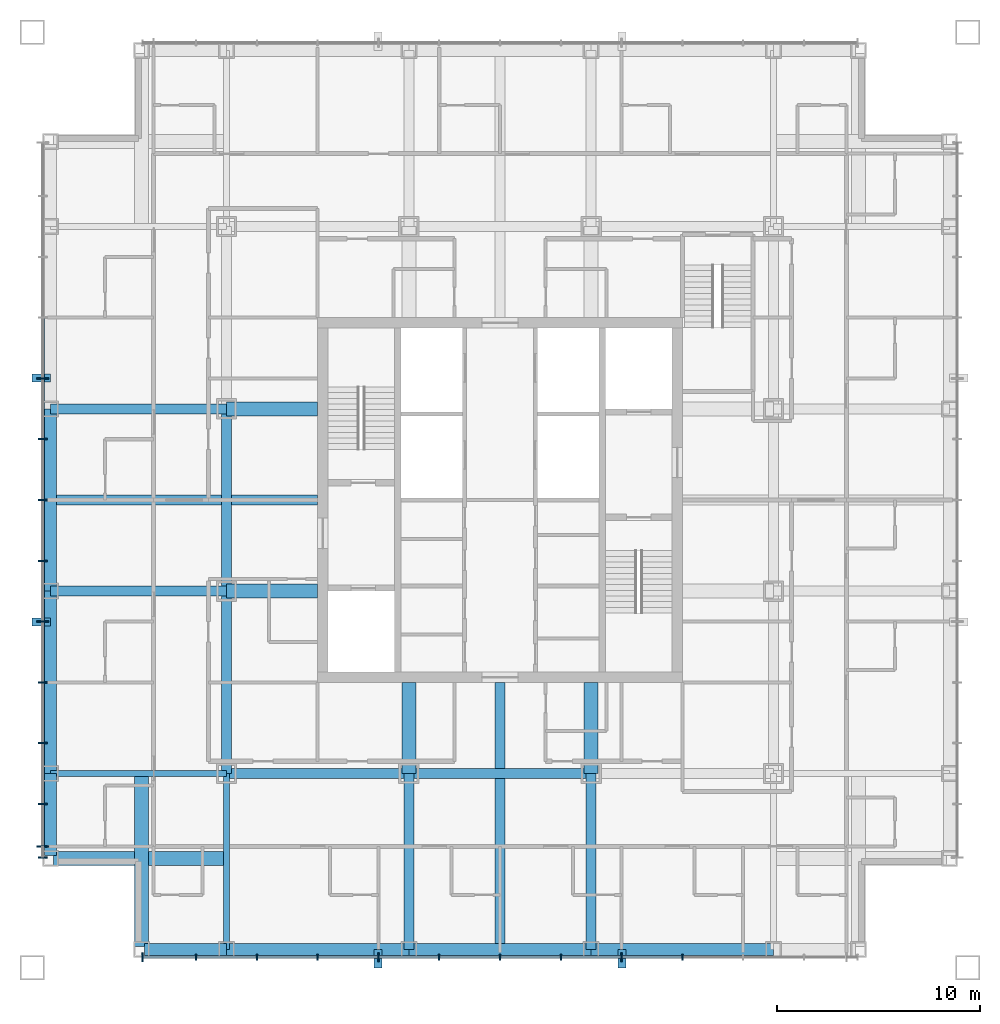
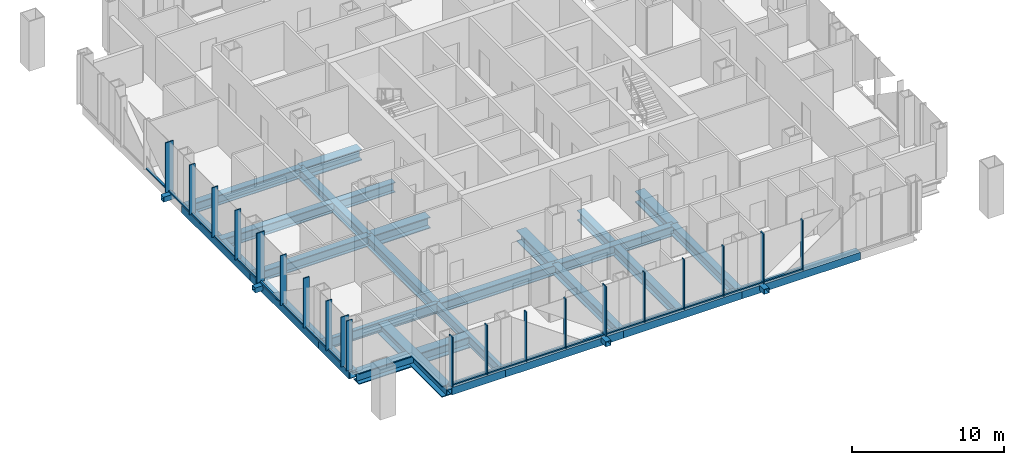
# One storey, part 2 of 16: 42 members, 25 beams, 2 elements without a shape of their own.
"""IFC4 building model written with IfcOpenShell, lengths in metres."""

from ifc_helpers import new_model, si_unit, direction, frame, origin, origin_2d, place, context, subcontext, project, spatial, rectangle, hollow_rectangle, i_section, extrude, material, layer, layer_set, material_profile, profile_set, type_object, element, aggregate, save


model = new_model("IFC4")

# Units and contexts
model_context = context("Model", 3, precision=1e-05, world=origin(), true_north=direction((0.0, 1.0)))
body_context = subcontext(model_context, "Body", "Model", "MODEL_VIEW")
ifc_project = project(units=[si_unit("LENGTHUNIT", "METRE"), si_unit("AREAUNIT", "SQUARE_METRE"), si_unit("VOLUMEUNIT", "CUBIC_METRE"), si_unit("PLANEANGLEUNIT", "RADIAN"), si_unit("MASSUNIT", "GRAM", prefix="KILO")], contexts=[model_context])

# Site, building, storey
site_placement = place(None, origin())
site = spatial("IfcSite", under=ifc_project, at=site_placement, CompositionType="ELEMENT")
building_placement = place(site_placement, origin())
building = spatial("IfcBuilding", under=site, at=building_placement, Name="Malebo Sky Hospital", CompositionType="ELEMENT")
storey_placement = place(building_placement, frame((0.0, 0.0, 197.0)))
storey = spatial("IfcBuildingStorey", under=building, at=storey_placement, Name="L47", CompositionType="ELEMENT", Elevation=197.0)

# Curtain wall, members
ifc_material_1 = material(Name="Anodised aluminium, natural silver", Category="aluminium")
ifc_layer_1 = layer(ifc_material_1, 0.25)
ifc_layer_set_1 = layer_set([ifc_layer_1], Name="WARD CURTAIN WALL EAST AND WEST")
curtain_wall_type_1 = type_object("IfcCurtainWallType", Name="WARD CURTAIN WALL EAST AND WEST", PredefinedType="NOTDEFINED", material=ifc_layer_set_1)
curtain_wall_1_placement = place(storey_placement, origin())
curtain_wall_1 = element("IfcCurtainWall", 1, at=curtain_wall_1_placement, inside=storey, type_object=curtain_wall_type_1, Name="EW curtain wall W", PredefinedType="NOTDEFINED")
ifc_material_profile_1 = material_profile(ifc_material_1, rectangle(XDim=0.14990234375, YDim=0.10009765625, at=origin_2d()), Name="ALUMINIUM TRANSOM 150x100")
ifc_profile_set_1 = profile_set([ifc_material_profile_1], Name="Anodised aluminium, natural silver")
member_type_1 = type_object("IfcMemberType", Name="ALUMINIUM TRANSOM 150x100", PredefinedType="USERDEFINED", material=ifc_profile_set_1)
member_1_placement = place(storey_placement, frame((37.425048828125, 44.9375, 0.050048828125), z_axis=(0.0, 1.0, 0.0), x_axis=(-1.0, 0.0, 0.0)))
member_1 = element("IfcMember", 2, at=member_1_placement, type_object=member_type_1, Name="Transom 2", ObjectType="TRANSOM", PredefinedType="USERDEFINED", context=body_context, shape_type="SweptSolid", body=[
    extrude(rectangle(XDim=0.14990234375, YDim=0.10009765625, at=origin_2d()), origin(), (0.0, 0.0, 1.0), 2.02490234375),
])
member_2_placement = place(storey_placement, frame((37.425048828125, 47.03759765625, 0.050048828125), z_axis=(0.0, 1.0, 0.0), x_axis=(-1.0, 0.0, 0.0)))
member_2 = element("IfcMember", 3, at=member_2_placement, type_object=member_type_1, Name="Transom 3", ObjectType="TRANSOM", PredefinedType="USERDEFINED", context=body_context, shape_type="SweptSolid", body=[
    extrude(rectangle(XDim=0.14990234375, YDim=0.10009765625, at=origin_2d()), origin(), (0.0, 0.0, 1.0), 2.9248046875),
])
member_3_placement = place(storey_placement, frame((37.425048828125, 50.03759765625, 0.050048828125), z_axis=(0.0, 1.0, 0.0), x_axis=(-1.0, 0.0, 0.0)))
member_3 = element("IfcMember", 4, at=member_3_placement, type_object=member_type_1, Name="Transom 4", ObjectType="TRANSOM", PredefinedType="USERDEFINED", context=body_context, shape_type="SweptSolid", body=[
    extrude(rectangle(XDim=0.14990234375, YDim=0.10009765625, at=origin_2d()), origin(), (0.0, 0.0, 1.0), 2.9248046875),
])
member_4_placement = place(storey_placement, frame((37.425048828125, 53.03759765625, 0.050048828125), z_axis=(0.0, 1.0, 0.0), x_axis=(-1.0, 0.0, 0.0)))
member_4 = element("IfcMember", 5, at=member_4_placement, type_object=member_type_1, Name="Transom 5", ObjectType="TRANSOM", PredefinedType="USERDEFINED", context=body_context, shape_type="SweptSolid", body=[
    extrude(rectangle(XDim=0.14990234375, YDim=0.10009765625, at=origin_2d()), origin(), (0.0, 0.0, 1.0), 2.9248046875),
])
member_5_placement = place(storey_placement, frame((37.425048828125, 56.03759765625, 0.050048828125), z_axis=(0.0, 1.0, 0.0), x_axis=(-1.0, 0.0, 0.0)))
member_5 = element("IfcMember", 6, at=member_5_placement, type_object=member_type_1, Name="Transom 6", ObjectType="TRANSOM", PredefinedType="USERDEFINED", context=body_context, shape_type="SweptSolid", body=[
    extrude(rectangle(XDim=0.14990234375, YDim=0.10009765625, at=origin_2d()), origin(), (0.0, 0.0, 1.0), 2.9248046875),
])
member_6_placement = place(storey_placement, frame((37.425048828125, 59.03759765625, 0.050048828125), z_axis=(0.0, 1.0, 0.0), x_axis=(-1.0, 0.0, 0.0)))
member_6 = element("IfcMember", 7, at=member_6_placement, type_object=member_type_1, Name="Transom 7", ObjectType="TRANSOM", PredefinedType="USERDEFINED", context=body_context, shape_type="SweptSolid", body=[
    extrude(rectangle(XDim=0.14990234375, YDim=0.10009765625, at=origin_2d()), origin(), (0.0, 0.0, 1.0), 2.9248046875),
])
member_7_placement = place(storey_placement, frame((37.425048828125, 62.03759765625, 0.050048828125), z_axis=(0.0, 1.0, 0.0), x_axis=(-1.0, 0.0, 0.0)))
member_7 = element("IfcMember", 8, at=member_7_placement, type_object=member_type_1, Name="Transom 8", ObjectType="TRANSOM", PredefinedType="USERDEFINED", context=body_context, shape_type="SweptSolid", body=[
    extrude(rectangle(XDim=0.14990234375, YDim=0.10009765625, at=origin_2d()), origin(), (0.0, 0.0, 1.0), 2.9248046875),
])
member_8_placement = place(storey_placement, frame((37.425048828125, 65.03759765625, 0.050048828125), z_axis=(0.0, 1.0, 0.0), x_axis=(-1.0, 0.0, 0.0)))
member_8 = element("IfcMember", 9, at=member_8_placement, type_object=member_type_1, Name="Transom 9", ObjectType="TRANSOM", PredefinedType="USERDEFINED", context=body_context, shape_type="SweptSolid", body=[
    extrude(rectangle(XDim=0.14990234375, YDim=0.10009765625, at=origin_2d()), origin(), (0.0, 0.0, 1.0), 2.9248046875),
])
member_9_placement = place(storey_placement, frame((37.425048828125, 68.03759765625, 0.050048828125), z_axis=(0.0, 1.0, 0.0), x_axis=(-1.0, 0.0, 0.0)))
member_9 = element("IfcMember", 10, at=member_9_placement, type_object=member_type_1, Name="Transom 10", ObjectType="TRANSOM", PredefinedType="USERDEFINED", context=body_context, shape_type="SweptSolid", body=[
    extrude(rectangle(XDim=0.14990234375, YDim=0.10009765625, at=origin_2d()), origin(), (0.0, 0.0, 1.0), 2.9248046875),
])

ifc_layer_2 = layer(ifc_material_1, 0.25)
ifc_layer_set_2 = layer_set([ifc_layer_2], Name="WARD CURTAIN WALL NORTH AND SOUTH")
curtain_wall_type_2 = type_object("IfcCurtainWallType", Name="WARD CURTAIN WALL NORTH AND SOUTH", PredefinedType="NOTDEFINED", material=ifc_layer_set_2)
curtain_wall_2_placement = place(storey_placement, origin())
curtain_wall_2 = element("IfcCurtainWall", 11, at=curtain_wall_2_placement, inside=storey, type_object=curtain_wall_type_2, Name="NS curtain wall S", PredefinedType="NOTDEFINED")
member_10_placement = place(storey_placement, frame((68.96240234375, 39.425048828125, 0.050048828125), z_axis=(-1.0, 0.0, 0.0), x_axis=(0.0, -1.0, 0.0)))
member_10 = element("IfcMember", 12, at=member_10_placement, type_object=member_type_1, Name="Transom 5", ObjectType="TRANSOM", PredefinedType="USERDEFINED", context=body_context, shape_type="SweptSolid", body=[
    extrude(rectangle(XDim=0.14990234375, YDim=0.10009765625, at=origin_2d()), origin(), (0.0, 0.0, 1.0), 2.9248046875),
])
member_11_placement = place(storey_placement, frame((65.96240234375, 39.425048828125, 0.050048828125), z_axis=(-1.0, 0.0, 0.0), x_axis=(0.0, -1.0, 0.0)))
member_11 = element("IfcMember", 13, at=member_11_placement, type_object=member_type_1, Name="Transom 6", ObjectType="TRANSOM", PredefinedType="USERDEFINED", context=body_context, shape_type="SweptSolid", body=[
    extrude(rectangle(XDim=0.14990234375, YDim=0.10009765625, at=origin_2d()), origin(), (0.0, 0.0, 1.0), 2.9248046875),
])
member_12_placement = place(storey_placement, frame((62.96240234375, 39.425048828125, 0.050048828125), z_axis=(-1.0, 0.0, 0.0), x_axis=(0.0, -1.0, 0.0)))
member_12 = element("IfcMember", 14, at=member_12_placement, type_object=member_type_1, Name="Transom 7", ObjectType="TRANSOM", PredefinedType="USERDEFINED", context=body_context, shape_type="SweptSolid", body=[
    extrude(rectangle(XDim=0.14990234375, YDim=0.10009765625, at=origin_2d()), origin(), (0.0, 0.0, 1.0), 2.9248046875),
])
member_13_placement = place(storey_placement, frame((59.96240234375, 39.425048828125, 0.050048828125), z_axis=(-1.0, 0.0, 0.0), x_axis=(0.0, -1.0, 0.0)))
member_13 = element("IfcMember", 15, at=member_13_placement, type_object=member_type_1, Name="Transom 8", ObjectType="TRANSOM", PredefinedType="USERDEFINED", context=body_context, shape_type="SweptSolid", body=[
    extrude(rectangle(XDim=0.14990234375, YDim=0.10009765625, at=origin_2d()), origin(), (0.0, 0.0, 1.0), 2.9248046875),
])
member_14_placement = place(storey_placement, frame((56.96240234375, 39.425048828125, 0.050048828125), z_axis=(-1.0, 0.0, 0.0), x_axis=(0.0, -1.0, 0.0)))
member_14 = element("IfcMember", 16, at=member_14_placement, type_object=member_type_1, Name="Transom 9", ObjectType="TRANSOM", PredefinedType="USERDEFINED", context=body_context, shape_type="SweptSolid", body=[
    extrude(rectangle(XDim=0.14990234375, YDim=0.10009765625, at=origin_2d()), origin(), (0.0, 0.0, 1.0), 2.9248046875),
])
member_15_placement = place(storey_placement, frame((53.96240234375, 39.425048828125, 0.050048828125), z_axis=(-1.0, 0.0, 0.0), x_axis=(0.0, -1.0, 0.0)))
member_15 = element("IfcMember", 17, at=member_15_placement, type_object=member_type_1, Name="Transom 10", ObjectType="TRANSOM", PredefinedType="USERDEFINED", context=body_context, shape_type="SweptSolid", body=[
    extrude(rectangle(XDim=0.14990234375, YDim=0.10009765625, at=origin_2d()), origin(), (0.0, 0.0, 1.0), 2.9248046875),
])
member_16_placement = place(storey_placement, frame((50.96240234375, 39.425048828125, 0.050048828125), z_axis=(-1.0, 0.0, 0.0), x_axis=(0.0, -1.0, 0.0)))
member_16 = element("IfcMember", 18, at=member_16_placement, type_object=member_type_1, Name="Transom 11", ObjectType="TRANSOM", PredefinedType="USERDEFINED", context=body_context, shape_type="SweptSolid", body=[
    extrude(rectangle(XDim=0.14990234375, YDim=0.10009765625, at=origin_2d()), origin(), (0.0, 0.0, 1.0), 2.9248046875),
])
member_17_placement = place(storey_placement, frame((47.96240234375, 39.425048828125, 0.050048828125), z_axis=(-1.0, 0.0, 0.0), x_axis=(0.0, -1.0, 0.0)))
member_17 = element("IfcMember", 19, at=member_17_placement, type_object=member_type_1, Name="Transom 12", ObjectType="TRANSOM", PredefinedType="USERDEFINED", context=body_context, shape_type="SweptSolid", body=[
    extrude(rectangle(XDim=0.14990234375, YDim=0.10009765625, at=origin_2d()), origin(), (0.0, 0.0, 1.0), 2.9248046875),
])
member_18_placement = place(storey_placement, frame((44.96240234375, 39.425048828125, 0.050048828125), z_axis=(-1.0, 0.0, 0.0), x_axis=(0.0, -1.0, 0.0)))
member_18 = element("IfcMember", 20, at=member_18_placement, type_object=member_type_1, Name="Transom 13", ObjectType="TRANSOM", PredefinedType="USERDEFINED", context=body_context, shape_type="SweptSolid", body=[
    extrude(rectangle(XDim=0.14990234375, YDim=0.10009765625, at=origin_2d()), origin(), (0.0, 0.0, 1.0), 2.58740234375),
])

# Members
ifc_material_2 = material(Name="Steel S355", Category="steel")
ifc_material_profile_2 = material_profile(ifc_material_2, hollow_rectangle(XDim=0.39990234375, YDim=0.39990234375, WallThickness=0.02001953125, at=origin_2d()), Name="SHS 400x20")
ifc_profile_set_2 = profile_set([ifc_material_profile_2], Name="Steel S355")
member_type_2 = type_object("IfcMemberType", Name="BRACE STRUT SHS 400x20", PredefinedType="STRUT", material=ifc_profile_set_2)
for number, where, z_axis, x_axis, name in (
    (21, (66.01513671875, 38.89990234375, -0.39990234375), (0.0, 1.0, 0.0), (-1.0, 0.0, 0.0), "Brace strut CS1 L47"),
    (22, (53.98486328125, 38.89990234375, -0.39990234375), (0.0, 1.0, 0.0), (-1.0, 0.0, 0.0), "Brace strut CS2 L47"),
    (23, (36.89990234375, 55.98486328125, -0.39990234375), (1.0, 0.0, 0.0), (0.0, 1.0, 0.0), "Brace strut CW1 L47"),
    (24, (36.89990234375, 68.01513671875, -0.39990234375), (1.0, 0.0, 0.0), (0.0, 1.0, 0.0), "Brace strut CW2 L47"),
):
    element("IfcMember", number, at=place(storey_placement, frame(where, z_axis=z_axis, x_axis=x_axis)), inside=storey, type_object=member_type_2, Name=name, PredefinedType="STRUT", context=body_context, shape_type="SweptSolid", body=[
        extrude(hollow_rectangle(XDim=0.39990234375, YDim=0.39990234375, WallThickness=0.02001953125, at=origin_2d()), origin(), (0.0, 0.0, 1.0), 0.900146484375),
    ])

# Member
ifc_material_profile_3 = material_profile(ifc_material_1, rectangle(XDim=0.074951171875, YDim=0.300048828125, at=origin_2d()), Name="CW1 ALUMINIUM FIN MULLION 75x300")
ifc_profile_set_3 = profile_set([ifc_material_profile_3], Name="Anodised aluminium, natural silver")
member_type_3 = type_object("IfcMemberType", Name="CW1 ALUMINIUM FIN MULLION 75x300", PredefinedType="MULLION", material=ifc_profile_set_3)
member_19_placement = place(storey_placement, frame((69.0, 39.425048828125, 0.0), z_axis=(0.0, 0.0, 1.0), x_axis=(-1.0, 0.0, 0.0)))
member_19 = element("IfcMember", 25, at=member_19_placement, type_object=member_type_3, Name="Fin mullion 5", PredefinedType="MULLION", context=body_context, shape_type="SweptSolid", body=[
    extrude(rectangle(XDim=0.074951171875, YDim=0.300048828125, at=origin_2d()), origin(), (0.0, 0.0, 1.0), 4.0),
])

member_20_placement = place(storey_placement, frame((63.0, 39.425048828125, 0.0), z_axis=(0.0, 0.0, 1.0), x_axis=(-1.0, 0.0, 0.0)))
member_20 = element("IfcMember", 26, at=member_20_placement, type_object=member_type_3, Name="Fin mullion 7", PredefinedType="MULLION", context=body_context, shape_type="SweptSolid", body=[
    extrude(rectangle(XDim=0.074951171875, YDim=0.300048828125, at=origin_2d()), origin(), (0.0, 0.0, 1.0), 4.0),
])

member_21_placement = place(storey_placement, frame((60.0, 39.425048828125, 0.0), z_axis=(0.0, 0.0, 1.0), x_axis=(-1.0, 0.0, 0.0)))
member_21 = element("IfcMember", 27, at=member_21_placement, type_object=member_type_3, Name="Fin mullion 8", PredefinedType="MULLION", context=body_context, shape_type="SweptSolid", body=[
    extrude(rectangle(XDim=0.074951171875, YDim=0.300048828125, at=origin_2d()), origin(), (0.0, 0.0, 1.0), 4.0),
])

member_22_placement = place(storey_placement, frame((57.0, 39.425048828125, 0.0), z_axis=(0.0, 0.0, 1.0), x_axis=(-1.0, 0.0, 0.0)))
member_22 = element("IfcMember", 28, at=member_22_placement, type_object=member_type_3, Name="Fin mullion 9", PredefinedType="MULLION", context=body_context, shape_type="SweptSolid", body=[
    extrude(rectangle(XDim=0.074951171875, YDim=0.300048828125, at=origin_2d()), origin(), (0.0, 0.0, 1.0), 4.0),
])

member_23_placement = place(storey_placement, frame((51.0, 39.425048828125, 0.0), z_axis=(0.0, 0.0, 1.0), x_axis=(-1.0, 0.0, 0.0)))
member_23 = element("IfcMember", 29, at=member_23_placement, type_object=member_type_3, Name="Fin mullion 11", PredefinedType="MULLION", context=body_context, shape_type="SweptSolid", body=[
    extrude(rectangle(XDim=0.074951171875, YDim=0.300048828125, at=origin_2d()), origin(), (0.0, 0.0, 1.0), 4.0),
])

member_24_placement = place(storey_placement, frame((48.0, 39.425048828125, 0.0), z_axis=(0.0, 0.0, 1.0), x_axis=(-1.0, 0.0, 0.0)))
member_24 = element("IfcMember", 30, at=member_24_placement, type_object=member_type_3, Name="Fin mullion 12", PredefinedType="MULLION", context=body_context, shape_type="SweptSolid", body=[
    extrude(rectangle(XDim=0.074951171875, YDim=0.300048828125, at=origin_2d()), origin(), (0.0, 0.0, 1.0), 4.0),
])

member_25_placement = place(storey_placement, frame((45.0, 39.425048828125, 0.0), z_axis=(0.0, 0.0, 1.0), x_axis=(-1.0, 0.0, 0.0)))
member_25 = element("IfcMember", 31, at=member_25_placement, type_object=member_type_3, Name="Fin mullion 13", PredefinedType="MULLION", context=body_context, shape_type="SweptSolid", body=[
    extrude(rectangle(XDim=0.074951171875, YDim=0.300048828125, at=origin_2d()), origin(), (0.0, 0.0, 1.0), 4.0),
])

ifc_material_profile_4 = material_profile(ifc_material_1, rectangle(XDim=0.074951171875, YDim=0.449951171875, at=origin_2d()), Name="CW1 ALUMINIUM FIN MULLION 75x450")
ifc_profile_set_4 = profile_set([ifc_material_profile_4], Name="Anodised aluminium, natural silver")
member_type_4 = type_object("IfcMemberType", Name="CW1 ALUMINIUM FIN MULLION 75x450", PredefinedType="MULLION", material=ifc_profile_set_4)
member_26_placement = place(storey_placement, frame((66.0, 39.425048828125, 0.0), z_axis=(0.0, 0.0, 1.0), x_axis=(-1.0, 0.0, 0.0)))
member_26 = element("IfcMember", 32, at=member_26_placement, type_object=member_type_4, Name="Fin mullion 6", PredefinedType="MULLION", context=body_context, shape_type="SweptSolid", body=[
    extrude(rectangle(XDim=0.074951171875, YDim=0.449951171875, at=origin_2d()), origin(), (0.0, 0.0, 1.0), 4.0),
])

member_27_placement = place(storey_placement, frame((54.0, 39.425048828125, 0.0), z_axis=(0.0, 0.0, 1.0), x_axis=(-1.0, 0.0, 0.0)))
member_27 = element("IfcMember", 33, at=member_27_placement, type_object=member_type_4, Name="Fin mullion 10", PredefinedType="MULLION", context=body_context, shape_type="SweptSolid", body=[
    extrude(rectangle(XDim=0.074951171875, YDim=0.449951171875, at=origin_2d()), origin(), (0.0, 0.0, 1.0), 4.0),
])

member_28_placement = place(storey_placement, frame((42.33740234375, 39.425048828125, 0.0), z_axis=(0.0, 0.0, 1.0), x_axis=(-1.0, 0.0, 0.0)))
member_28 = element("IfcMember", 34, at=member_28_placement, type_object=member_type_4, Name="Fin mullion 14", PredefinedType="MULLION", context=body_context, shape_type="SweptSolid", body=[
    extrude(rectangle(XDim=0.074951171875, YDim=0.449951171875, at=origin_2d()), origin(), (0.0, 0.0, 1.0), 4.0),
])

aggregate(curtain_wall_2, [member_19, member_26, member_20, member_21, member_22, member_27, member_23, member_24, member_25, member_28, member_10, member_11, member_12, member_13, member_14, member_15, member_16, member_17, member_18])

ifc_material_profile_5 = material_profile(ifc_material_1, rectangle(XDim=0.074951171875, YDim=0.449951171875, at=origin_2d()), Name="CW2 ALUMINIUM FIN MULLION 75x450")
ifc_profile_set_5 = profile_set([ifc_material_profile_5], Name="Anodised aluminium, natural silver")
member_type_5 = type_object("IfcMemberType", Name="CW2 ALUMINIUM FIN MULLION 75x450", PredefinedType="MULLION", material=ifc_profile_set_5)
member_29_placement = place(storey_placement, frame((37.425048828125, 44.33740234375, 0.0), z_axis=(0.0, 0.0, 1.0), x_axis=(0.0, 1.0, 0.0)))
member_29 = element("IfcMember", 35, at=member_29_placement, type_object=member_type_5, Name="Fin mullion 1", PredefinedType="MULLION", context=body_context, shape_type="SweptSolid", body=[
    extrude(rectangle(XDim=0.074951171875, YDim=0.449951171875, at=origin_2d()), origin(), (0.0, 0.0, 1.0), 4.0),
])

member_30_placement = place(storey_placement, frame((37.425048828125, 47.0, 0.0), z_axis=(0.0, 0.0, 1.0), x_axis=(0.0, 1.0, 0.0)))
member_30 = element("IfcMember", 36, at=member_30_placement, type_object=member_type_5, Name="Fin mullion 3", PredefinedType="MULLION", context=body_context, shape_type="SweptSolid", body=[
    extrude(rectangle(XDim=0.074951171875, YDim=0.449951171875, at=origin_2d()), origin(), (0.0, 0.0, 1.0), 4.0),
])

member_31_placement = place(storey_placement, frame((37.425048828125, 50.0, 0.0), z_axis=(0.0, 0.0, 1.0), x_axis=(0.0, 1.0, 0.0)))
member_31 = element("IfcMember", 37, at=member_31_placement, type_object=member_type_5, Name="Fin mullion 4", PredefinedType="MULLION", context=body_context, shape_type="SweptSolid", body=[
    extrude(rectangle(XDim=0.074951171875, YDim=0.449951171875, at=origin_2d()), origin(), (0.0, 0.0, 1.0), 4.0),
])

member_32_placement = place(storey_placement, frame((37.425048828125, 53.0, 0.0), z_axis=(0.0, 0.0, 1.0), x_axis=(0.0, 1.0, 0.0)))
member_32 = element("IfcMember", 38, at=member_32_placement, type_object=member_type_5, Name="Fin mullion 5", PredefinedType="MULLION", context=body_context, shape_type="SweptSolid", body=[
    extrude(rectangle(XDim=0.074951171875, YDim=0.449951171875, at=origin_2d()), origin(), (0.0, 0.0, 1.0), 4.0),
])

member_33_placement = place(storey_placement, frame((37.425048828125, 59.0, 0.0), z_axis=(0.0, 0.0, 1.0), x_axis=(0.0, 1.0, 0.0)))
member_33 = element("IfcMember", 39, at=member_33_placement, type_object=member_type_5, Name="Fin mullion 7", PredefinedType="MULLION", context=body_context, shape_type="SweptSolid", body=[
    extrude(rectangle(XDim=0.074951171875, YDim=0.449951171875, at=origin_2d()), origin(), (0.0, 0.0, 1.0), 4.0),
])

member_34_placement = place(storey_placement, frame((37.425048828125, 62.0, 0.0), z_axis=(0.0, 0.0, 1.0), x_axis=(0.0, 1.0, 0.0)))
member_34 = element("IfcMember", 40, at=member_34_placement, type_object=member_type_5, Name="Fin mullion 8", PredefinedType="MULLION", context=body_context, shape_type="SweptSolid", body=[
    extrude(rectangle(XDim=0.074951171875, YDim=0.449951171875, at=origin_2d()), origin(), (0.0, 0.0, 1.0), 4.0),
])

member_35_placement = place(storey_placement, frame((37.425048828125, 65.0, 0.0), z_axis=(0.0, 0.0, 1.0), x_axis=(0.0, 1.0, 0.0)))
member_35 = element("IfcMember", 41, at=member_35_placement, type_object=member_type_5, Name="Fin mullion 9", PredefinedType="MULLION", context=body_context, shape_type="SweptSolid", body=[
    extrude(rectangle(XDim=0.074951171875, YDim=0.449951171875, at=origin_2d()), origin(), (0.0, 0.0, 1.0), 4.0),
])

ifc_material_profile_6 = material_profile(ifc_material_1, rectangle(XDim=0.074951171875, YDim=0.60009765625, at=origin_2d()), Name="CW2 ALUMINIUM FIN MULLION 75x600")
ifc_profile_set_6 = profile_set([ifc_material_profile_6], Name="Anodised aluminium, natural silver")
member_type_6 = type_object("IfcMemberType", Name="CW2 ALUMINIUM FIN MULLION 75x600", PredefinedType="MULLION", material=ifc_profile_set_6)
member_36_placement = place(storey_placement, frame((37.425048828125, 44.89990234375, 0.0), z_axis=(0.0, 0.0, 1.0), x_axis=(0.0, 1.0, 0.0)))
member_36 = element("IfcMember", 42, at=member_36_placement, type_object=member_type_6, Name="Fin mullion 2", PredefinedType="MULLION", context=body_context, shape_type="SweptSolid", body=[
    extrude(rectangle(XDim=0.074951171875, YDim=0.60009765625, at=origin_2d()), origin(), (0.0, 0.0, 1.0), 4.0),
])

member_37_placement = place(storey_placement, frame((37.425048828125, 56.0, 0.0), z_axis=(0.0, 0.0, 1.0), x_axis=(0.0, 1.0, 0.0)))
member_37 = element("IfcMember", 43, at=member_37_placement, type_object=member_type_6, Name="Fin mullion 6", PredefinedType="MULLION", context=body_context, shape_type="SweptSolid", body=[
    extrude(rectangle(XDim=0.074951171875, YDim=0.60009765625, at=origin_2d()), origin(), (0.0, 0.0, 1.0), 4.0),
])

member_38_placement = place(storey_placement, frame((37.425048828125, 68.0, 0.0), z_axis=(0.0, 0.0, 1.0), x_axis=(0.0, 1.0, 0.0)))
member_38 = element("IfcMember", 44, at=member_38_placement, type_object=member_type_6, Name="Fin mullion 10", PredefinedType="MULLION", context=body_context, shape_type="SweptSolid", body=[
    extrude(rectangle(XDim=0.074951171875, YDim=0.60009765625, at=origin_2d()), origin(), (0.0, 0.0, 1.0), 4.0),
])

aggregate(curtain_wall_1, [member_29, member_36, member_30, member_31, member_32, member_37, member_33, member_34, member_35, member_38, member_1, member_2, member_3, member_4, member_5, member_6, member_7, member_8, member_9])

# Beams
ifc_material_3 = material(Name="Steel S460", Category="steel")
ifc_material_profile_7 = material_profile(ifc_material_3, hollow_rectangle(XDim=0.60009765625, YDim=0.60009765625, WallThickness=0.0400390625, at=origin_2d()), Name="BOX 600x600x40")
ifc_profile_set_7 = profile_set([ifc_material_profile_7], Name="Steel S460")
beam_type_1 = type_object("IfcBeamType", Name="EDGE BEAM BOX 600x600x40", PredefinedType="BEAM", material=ifc_profile_set_7)
beam_1_placement = place(storey_placement, frame((37.800048828125, 44.449951171875, -0.550048828125), z_axis=(0.0, 1.0, 0.0), x_axis=(-1.0, 0.0, 0.0)))
element("IfcBeam", 45, at=beam_1_placement, inside=storey, type_object=beam_type_1, Name="Beam 000 L47", PredefinedType="BEAM", context=body_context, shape_type="SweptSolid", body=[
    extrude(hollow_rectangle(XDim=0.60009765625, YDim=0.60009765625, WallThickness=0.0400390625, at=origin_2d()), origin(), (0.0, 0.0, 1.0), 4.050048828125),
])
for number, where, z_axis, x_axis, name in (
    (46, (37.800048828125, 48.5, -0.550048828125), (0.0, 1.0, 0.0), (-1.0, 0.0, 0.0), "Beam 001 L47"),
    (47, (37.800048828125, 57.5, -0.550048828125), (0.0, 1.0, 0.0), (-1.0, 0.0, 0.0), "Beam 002 L47"),
):
    element("IfcBeam", number, at=place(storey_placement, frame(where, z_axis=z_axis, x_axis=x_axis)), inside=storey, type_object=beam_type_1, Name=name, PredefinedType="BEAM", context=body_context, shape_type="SweptSolid", body=[
        extrude(hollow_rectangle(XDim=0.60009765625, YDim=0.60009765625, WallThickness=0.0400390625, at=origin_2d()), origin(), (0.0, 0.0, 1.0), 9.0),
    ])
beam_2_placement = place(storey_placement, frame((42.449951171875, 39.800048828125, -0.550048828125), z_axis=(1.0, 0.0, 0.0), x_axis=(0.0, 1.0, 0.0)))
element("IfcBeam", 48, at=beam_2_placement, inside=storey, type_object=beam_type_1, Name="Beam 034 L47", PredefinedType="BEAM", context=body_context, shape_type="SweptSolid", body=[
    extrude(hollow_rectangle(XDim=0.60009765625, YDim=0.60009765625, WallThickness=0.0400390625, at=origin_2d()), origin(), (0.0, 0.0, 1.0), 4.050048828125),
])
for number, where, z_axis, x_axis, name in (
    (49, (46.5, 39.800048828125, -0.550048828125), (1.0, 0.0, 0.0), (0.0, 1.0, 0.0), "Beam 035 L47"),
    (50, (55.5, 39.800048828125, -0.550048828125), (1.0, 0.0, 0.0), (0.0, 1.0, 0.0), "Beam 036 L47"),
    (51, (64.5, 39.800048828125, -0.550048828125), (1.0, 0.0, 0.0), (0.0, 1.0, 0.0), "Beam 037 L47"),
):
    element("IfcBeam", number, at=place(storey_placement, frame(where, z_axis=z_axis, x_axis=x_axis)), inside=storey, type_object=beam_type_1, Name=name, PredefinedType="BEAM", context=body_context, shape_type="SweptSolid", body=[
        extrude(hollow_rectangle(XDim=0.60009765625, YDim=0.60009765625, WallThickness=0.0400390625, at=origin_2d()), origin(), (0.0, 0.0, 1.0), 9.0),
    ])
ifc_material_profile_8 = material_profile(ifc_material_2, i_section(OverallWidth=0.5, OverallDepth=0.800048828125, WebThickness=0.030029296875, FlangeThickness=0.050048828125, at=origin_2d()), Name="PG 800x500x30x50")
ifc_profile_set_8 = profile_set([ifc_material_profile_8], Name="Steel S355")
beam_type_2 = type_object("IfcBeamType", Name="FLOOR BEAM PG 800x500x30x50", PredefinedType="BEAM", material=ifc_profile_set_8)
beam_3_placement = place(storey_placement, frame((46.5, 48.5, -0.64990234375), z_axis=(0.0, 1.0, 0.0), x_axis=(-1.0, 0.0, 0.0)))
element("IfcBeam", 52, at=beam_3_placement, inside=storey, type_object=beam_type_2, Name="Beam 008 L47", PredefinedType="BEAM", context=body_context, shape_type="SweptSolid", body=[
    extrude(i_section(OverallWidth=0.5, OverallDepth=0.800048828125, WebThickness=0.030029296875, FlangeThickness=0.050048828125, at=origin_2d()), origin(), (0.0, 0.0, 1.0), 9.0),
])
beam_4_placement = place(storey_placement, frame((55.5, 39.800048828125, -0.64990234375), z_axis=(0.0, 1.0, 0.0), x_axis=(-1.0, 0.0, 0.0)))
element("IfcBeam", 53, at=beam_4_placement, inside=storey, type_object=beam_type_2, Name="Beam 012 L47", PredefinedType="BEAM", context=body_context, shape_type="SweptSolid", body=[
    extrude(i_section(OverallWidth=0.5, OverallDepth=0.800048828125, WebThickness=0.030029296875, FlangeThickness=0.050048828125, at=origin_2d()), origin(), (0.0, 0.0, 1.0), 8.699951171875),
])
beam_5_placement = place(storey_placement, frame((60.0, 39.800048828125, -0.64990234375), z_axis=(0.0, 1.0, 0.0), x_axis=(-1.0, 0.0, 0.0)))
element("IfcBeam", 54, at=beam_5_placement, inside=storey, type_object=beam_type_2, Name="Beam 016 L47", PredefinedType="BEAM", context=body_context, shape_type="SweptSolid", body=[
    extrude(i_section(OverallWidth=0.5, OverallDepth=0.800048828125, WebThickness=0.030029296875, FlangeThickness=0.050048828125, at=origin_2d()), origin(), (0.0, 0.0, 1.0), 13.199951171875),
])
beam_6_placement = place(storey_placement, frame((64.5, 39.800048828125, -0.64990234375), z_axis=(0.0, 1.0, 0.0), x_axis=(-1.0, 0.0, 0.0)))
element("IfcBeam", 55, at=beam_6_placement, inside=storey, type_object=beam_type_2, Name="Beam 018 L47", PredefinedType="BEAM", context=body_context, shape_type="SweptSolid", body=[
    extrude(i_section(OverallWidth=0.5, OverallDepth=0.800048828125, WebThickness=0.030029296875, FlangeThickness=0.050048828125, at=origin_2d()), origin(), (0.0, 0.0, 1.0), 8.699951171875),
])
beam_7_placement = place(storey_placement, frame((46.5, 48.5, -0.64990234375), z_axis=(1.0, 0.0, 0.0), x_axis=(0.0, 1.0, 0.0)))
element("IfcBeam", 56, at=beam_7_placement, inside=storey, type_object=beam_type_2, Name="Beam 042 L47", PredefinedType="BEAM", context=body_context, shape_type="SweptSolid", body=[
    extrude(i_section(OverallWidth=0.5, OverallDepth=0.800048828125, WebThickness=0.030029296875, FlangeThickness=0.050048828125, at=origin_2d()), origin(), (0.0, 0.0, 1.0), 9.0),
])
beam_8_placement = place(storey_placement, frame((37.800048828125, 57.5, -0.64990234375), z_axis=(1.0, 0.0, 0.0), x_axis=(0.0, 1.0, 0.0)))
element("IfcBeam", 57, at=beam_8_placement, inside=storey, type_object=beam_type_2, Name="Beam 046 L47", PredefinedType="BEAM", context=body_context, shape_type="SweptSolid", body=[
    extrude(i_section(OverallWidth=0.5, OverallDepth=0.800048828125, WebThickness=0.030029296875, FlangeThickness=0.050048828125, at=origin_2d()), origin(), (0.0, 0.0, 1.0), 8.699951171875),
])
beam_9_placement = place(storey_placement, frame((37.800048828125, 62.0, -0.64990234375), z_axis=(1.0, 0.0, 0.0), x_axis=(0.0, 1.0, 0.0)))
element("IfcBeam", 58, at=beam_9_placement, inside=storey, type_object=beam_type_2, Name="Beam 050 L47", PredefinedType="BEAM", context=body_context, shape_type="SweptSolid", body=[
    extrude(i_section(OverallWidth=0.5, OverallDepth=0.800048828125, WebThickness=0.030029296875, FlangeThickness=0.050048828125, at=origin_2d()), origin(), (0.0, 0.0, 1.0), 13.199951171875),
])
beam_10_placement = place(storey_placement, frame((37.800048828125, 66.5, -0.64990234375), z_axis=(1.0, 0.0, 0.0), x_axis=(0.0, 1.0, 0.0)))
element("IfcBeam", 59, at=beam_10_placement, inside=storey, type_object=beam_type_2, Name="Beam 052 L47", PredefinedType="BEAM", context=body_context, shape_type="SweptSolid", body=[
    extrude(i_section(OverallWidth=0.5, OverallDepth=0.800048828125, WebThickness=0.030029296875, FlangeThickness=0.050048828125, at=origin_2d()), origin(), (0.0, 0.0, 1.0), 8.699951171875),
])
ifc_material_profile_9 = material_profile(ifc_material_2, i_section(OverallWidth=0.699951171875, OverallDepth=0.89990234375, WebThickness=0.0400390625, FlangeThickness=0.070068359375, at=origin_2d()), Name="PG 900x700x40x70")
ifc_profile_set_9 = profile_set([ifc_material_profile_9], Name="Steel S355")
beam_type_3 = type_object("IfcBeamType", Name="FLOOR BEAM PG 900x700x40x70", PredefinedType="BEAM", material=ifc_profile_set_9)
beam_11_placement = place(storey_placement, frame((42.300048828125, 39.949951171875, -0.699951171875), z_axis=(0.0, 1.0, 0.0), x_axis=(-1.0, 0.0, 0.0)))
element("IfcBeam", 60, at=beam_11_placement, inside=storey, type_object=beam_type_3, Name="Beam 005 L47", PredefinedType="BEAM", context=body_context, shape_type="SweptSolid", body=[
    extrude(i_section(OverallWidth=0.699951171875, OverallDepth=0.89990234375, WebThickness=0.0400390625, FlangeThickness=0.070068359375, at=origin_2d()), origin(), (0.0, 0.0, 1.0), 8.550048828125),
])
for number, where, z_axis, x_axis, name in (
    (61, (55.5, 48.5, -0.699951171875), (0.0, 1.0, 0.0), (-1.0, 0.0, 0.0), "Beam 013 L47"),
    (62, (64.5, 48.5, -0.699951171875), (0.0, 1.0, 0.0), (-1.0, 0.0, 0.0), "Beam 019 L47"),
):
    element("IfcBeam", number, at=place(storey_placement, frame(where, z_axis=z_axis, x_axis=x_axis)), inside=storey, type_object=beam_type_3, Name=name, PredefinedType="BEAM", context=body_context, shape_type="SweptSolid", body=[
        extrude(i_section(OverallWidth=0.699951171875, OverallDepth=0.89990234375, WebThickness=0.0400390625, FlangeThickness=0.070068359375, at=origin_2d()), origin(), (0.0, 0.0, 1.0), 4.5),
    ])
beam_12_placement = place(storey_placement, frame((37.949951171875, 44.300048828125, -0.699951171875), z_axis=(1.0, 0.0, 0.0), x_axis=(0.0, 1.0, 0.0)))
element("IfcBeam", 63, at=beam_12_placement, inside=storey, type_object=beam_type_3, Name="Beam 039 L47", PredefinedType="BEAM", context=body_context, shape_type="SweptSolid", body=[
    extrude(i_section(OverallWidth=0.699951171875, OverallDepth=0.89990234375, WebThickness=0.0400390625, FlangeThickness=0.070068359375, at=origin_2d()), origin(), (0.0, 0.0, 1.0), 8.550048828125),
])
for number, where, z_axis, x_axis, name in (
    (64, (46.5, 57.5, -0.699951171875), (1.0, 0.0, 0.0), (0.0, 1.0, 0.0), "Beam 047 L47"),
    (65, (46.5, 66.5, -0.699951171875), (1.0, 0.0, 0.0), (0.0, 1.0, 0.0), "Beam 053 L47"),
):
    element("IfcBeam", number, at=place(storey_placement, frame(where, z_axis=z_axis, x_axis=x_axis)), inside=storey, type_object=beam_type_3, Name=name, PredefinedType="BEAM", context=body_context, shape_type="SweptSolid", body=[
        extrude(i_section(OverallWidth=0.699951171875, OverallDepth=0.89990234375, WebThickness=0.0400390625, FlangeThickness=0.070068359375, at=origin_2d()), origin(), (0.0, 0.0, 1.0), 4.5),
    ])
ifc_material_profile_10 = material_profile(ifc_material_2, i_section(OverallWidth=0.300048828125, OverallDepth=0.800048828125, WebThickness=0.017578125, FlangeThickness=0.032958984375, FilletRadius=0.030029296875, at=origin_2d()), Name="HEB 800")
ifc_profile_set_10 = profile_set([ifc_material_profile_10], Name="Steel S355")
beam_type_4 = type_object("IfcBeamType", Name="FLOOR GIRDER HEB 800", PredefinedType="BEAM", material=ifc_profile_set_10)
for number, where, z_axis, x_axis, name in (
    (66, (46.5, 39.800048828125, -0.64990234375), (0.0, 1.0, 0.0), (-1.0, 0.0, 0.0), "Beam 007 L47"),
    (67, (37.800048828125, 48.5, -0.64990234375), (1.0, 0.0, 0.0), (0.0, 1.0, 0.0), "Beam 041 L47"),
):
    element("IfcBeam", number, at=place(storey_placement, frame(where, z_axis=z_axis, x_axis=x_axis)), inside=storey, type_object=beam_type_4, Name=name, PredefinedType="BEAM", context=body_context, shape_type="SweptSolid", body=[
        extrude(i_section(OverallWidth=0.300048828125, OverallDepth=0.800048828125, WebThickness=0.017578125, FlangeThickness=0.032958984375, FilletRadius=0.030029296875, at=origin_2d()), origin(), (0.0, 0.0, 1.0), 8.699951171875),
    ])
ifc_material_profile_11 = material_profile(ifc_material_2, i_section(OverallWidth=0.5, OverallDepth=0.800048828125, WebThickness=0.030029296875, FlangeThickness=0.050048828125, at=origin_2d()), Name="PG 800x500x30x50")
ifc_profile_set_11 = profile_set([ifc_material_profile_11], Name="Steel S355")
beam_type_5 = type_object("IfcBeamType", Name="RING GIRDER PG 800x500x30x50", PredefinedType="BEAM", material=ifc_profile_set_11)
for number, where, z_axis, x_axis, name in (
    (68, (46.5, 57.5, -0.64990234375), (0.0, 1.0, 0.0), (-1.0, 0.0, 0.0), "Beam 009 L47"),
    (69, (55.5, 48.5, -0.64990234375), (1.0, 0.0, 0.0), (0.0, 1.0, 0.0), "Beam 043 L47"),
):
    element("IfcBeam", number, at=place(storey_placement, frame(where, z_axis=z_axis, x_axis=x_axis)), inside=storey, type_object=beam_type_5, Name=name, PredefinedType="BEAM", context=body_context, shape_type="SweptSolid", body=[
        extrude(i_section(OverallWidth=0.5, OverallDepth=0.800048828125, WebThickness=0.030029296875, FlangeThickness=0.050048828125, at=origin_2d()), origin(), (0.0, 0.0, 1.0), 9.0),
    ])

save(model, "model.ifc")
